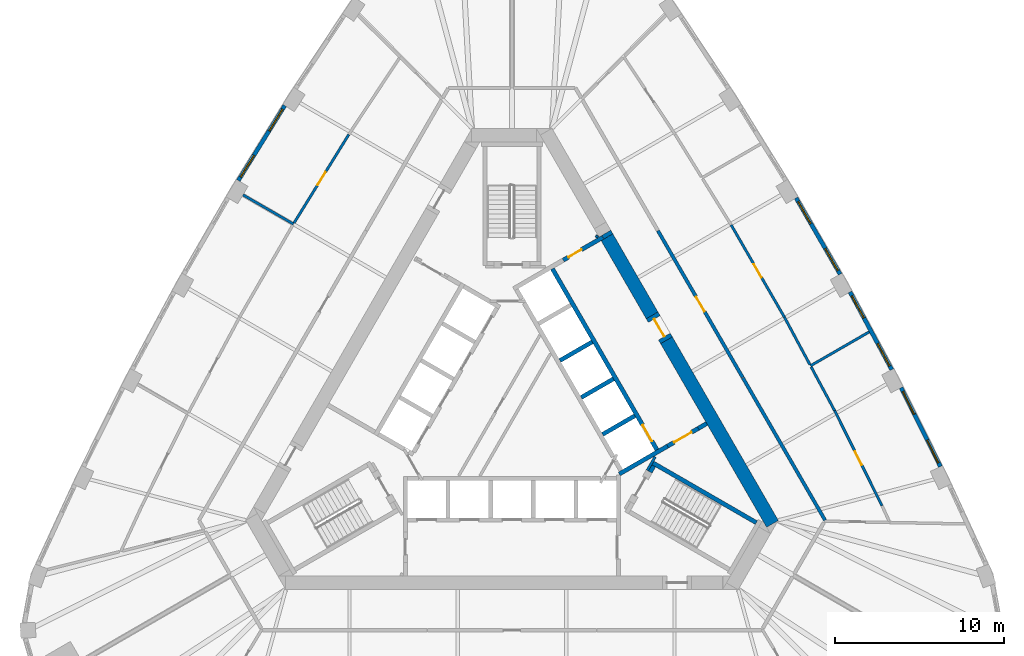
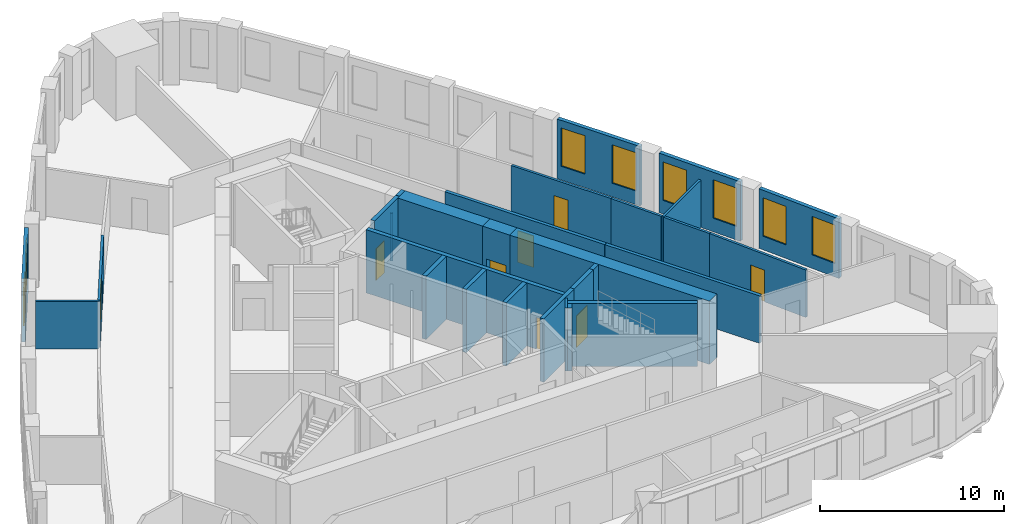
# One storey, part 7 of 10: 29 walls, 8 doors, 8 windows, 16 openings.
"""IFC4 building model written with IfcOpenShell, lengths in metres."""

from ifc_helpers import new_model, si_unit, direction, frame, frame_2d, origin, place, context, subcontext, project, spatial, polyline, rectangle, outline, extrude, material, layer, layer_set, type_object, element, fill, save


model = new_model("IFC4")

# Units and contexts
model_context = context("Model", 3, precision=1e-05, world=origin(), true_north=direction((0.0, 1.0)))
body_context = subcontext(model_context, "Body", "Model", "MODEL_VIEW")
ifc_project = project(units=[si_unit("LENGTHUNIT", "METRE"), si_unit("AREAUNIT", "SQUARE_METRE"), si_unit("VOLUMEUNIT", "CUBIC_METRE"), si_unit("PLANEANGLEUNIT", "RADIAN"), si_unit("MASSUNIT", "GRAM", prefix="KILO")], contexts=[model_context])

# Site, building, storey
site_placement = place(None, origin())
site = spatial("IfcSite", under=ifc_project, at=site_placement, CompositionType="ELEMENT")
building_placement = place(site_placement, origin())
building = spatial("IfcBuilding", under=site, at=building_placement, Name="Mestral Congress Tower", CompositionType="ELEMENT")
storey_placement = place(building_placement, frame((0.0, 0.0, 141.60009765625)))
storey = spatial("IfcBuildingStorey", under=building, at=storey_placement, Name="L33", CompositionType="ELEMENT", Elevation=141.60009765625)

# Walls
ifc_material_1 = material(Name="Fire-rated board partition")
ifc_layer_1 = layer(ifc_material_1, 0.14990234375)
ifc_layer_set_1 = layer_set([ifc_layer_1], Name="Fire-rated board partition")
wall_type_1 = type_object("IfcWallType", Name="Core partition 150", PredefinedType="PARTITIONING", material=ifc_layer_set_1)
wall_1_placement = place(storey_placement, frame((4.97998046875, 10.35791015625, 0.0), z_axis=(0.0, 0.0, 1.0), x_axis=(0.500640202437, 0.86565546709, 0.0)))
element("IfcWall", 1, at=wall_1_placement, inside=storey, type_object=wall_type_1, Name="L33 core wall", PredefinedType="PARTITIONING", context=body_context, shape_type="SweptSolid", body=[
    extrude(rectangle(XDim=0.145751953125, YDim=0.14990234375, at=frame_2d((0.07275390625, 0.0))), origin(), (0.0, 0.0, 1.0), 3.14990234375),
])
ifc_material_2 = material(Name="Concrete C60/75", Category="concrete")
ifc_layer_2 = layer(ifc_material_2, 0.800048828125)
ifc_layer_set_2 = layer_set([ifc_layer_2], Name="Concrete C60/75")
wall_type_2 = type_object("IfcWallType", Name="Core wall RC 800", PredefinedType="SOLIDWALL", material=ifc_layer_set_2)
wall_2_placement = place(storey_placement, frame((9.128662109375, 4.288818359375, 0.0), z_axis=(0.0, 0.0, 1.0), x_axis=(0.499995742806, -0.866027861663, 0.0)))
element("IfcWall", 2, at=wall_2_placement, inside=storey, type_object=wall_type_2, Name="L33 core wall", PredefinedType="SOLIDWALL", context=body_context, shape_type="SweptSolid", body=[
    extrude(rectangle(XDim=12.52734375, YDim=0.800048828125, at=frame_2d((6.263671875, 0.0))), origin(), (0.0, 0.0, 1.0), 4.199951171875),
])
wall_3_placement = place(storey_placement, frame((5.614501953125, 10.37548828125, 0.0), z_axis=(0.0, 0.0, 1.0), x_axis=(0.500002746266, -0.866023818221, 0.0)))
element("IfcWall", 3, at=wall_3_placement, inside=storey, type_object=wall_type_2, Name="L33 core wall", PredefinedType="SOLIDWALL", context=body_context, shape_type="SweptSolid", body=[
    extrude(rectangle(XDim=5.328125, YDim=0.800048828125, at=frame_2d((2.6640625, 0.0))), origin(), (0.0, 0.0, 1.0), 4.199951171875),
])
wall_4_placement = place(storey_placement, origin())
element("IfcWall", 4, at=wall_4_placement, inside=storey, type_object=wall_type_2, Name="L33 core wall", PredefinedType="SOLIDWALL", context=body_context, shape_type="SweptSolid", body=[
    extrude(outline(polyline([(5.431640625, 10.272216796875), (5.3076171875, 10.48681640625), (5.8359375, 10.7919921875), (5.9599609375, 10.5771484375), (5.431640625, 10.272216796875)])), origin(), (0.0, 0.0, 1.0), 4.199951171875),
])

# Wall, opening, door
wall_5_placement = place(storey_placement, frame((8.278564453125, 5.760986328125, 0.0), z_axis=(0.0, 0.0, 1.0), x_axis=(0.500062241894, -0.865989465428, 0.0)))
wall_5 = element("IfcWall", 5, at=wall_5_placement, inside=storey, type_object=wall_type_2, Name="L33 door wall", PredefinedType="SOLIDWALL", context=body_context, shape_type="SweptSolid", body=[
    extrude(rectangle(XDim=1.699951171875, YDim=0.800048828125, at=frame_2d((0.85009765625, 0.0))), origin(), (0.0, 0.0, 1.0), 4.199951171875),
])
opening_1_placement = place(wall_5_placement, frame((0.25, 0.0, 0.0)))
opening_1 = element("IfcOpeningElement", 6, at=opening_1_placement, cuts=wall_5, Name="Opening XDL", PredefinedType="OPENING", context=body_context, shape_type="SweptSolid", body=[
    extrude(rectangle(XDim=1.199951171875, YDim=2.10009765625, at=frame_2d((0.60009765625, 1.050048828125))), frame((0.0, 0.409912109375, 0.0), z_axis=(0.0, -1.0, 0.0), x_axis=(1.0, 0.0, 0.0)), (0.0, 0.0, 1.0), 0.820068359375),
])
ifc_material_3 = material(Name="Fire-rated steel door set", Category="steel")
door_type_1 = type_object("IfcDoorType", Name="Core door XD 1200x2100", OperationType="SINGLE_SWING_LEFT", PredefinedType="DOOR", material=ifc_material_3)
door_1_placement = place(opening_1_placement, origin())
door_1 = element("IfcDoor", 7, at=door_1_placement, inside=storey, type_object=door_type_1, Name="Door XDL", OperationType="SINGLE_SWING_LEFT", OverallHeight=2.10009765625, OverallWidth=1.199951171875, PredefinedType="DOOR", context=body_context, shape_type="SweptSolid", body=[
    extrude(rectangle(XDim=1.199951171875, YDim=2.10009765625, at=frame_2d((0.60009765625, 1.050048828125))), frame((0.0, 0.02490234375, 0.0), z_axis=(0.0, -1.0, 0.0), x_axis=(1.0, 0.0, 0.0)), (0.0, 0.0, 1.0), 0.050048828125),
])
fill(opening_1, door_1)

# Wall, openings, windows
ifc_material_4 = material(Name="Precast concrete C40/50 with limestone facing", Category="masonry")
ifc_layer_3 = layer(ifc_material_4, 0.239990234375)
ifc_layer_set_3 = layer_set([ifc_layer_3], Name="Precast concrete C40/50 with limestone facing")
wall_type_3 = type_object("IfcWallType", Name="Facade stone wall 240", PredefinedType="SOLIDWALL", material=ifc_layer_set_3)
wall_6_placement = place(storey_placement, frame((25.31591796875, -3.17138671875, 0.0), z_axis=(0.0, 0.0, 1.0), x_axis=(-0.446256171312, 0.8949052629, 0.0)))
wall_6 = element("IfcWall", 8, at=wall_6_placement, inside=storey, type_object=wall_type_3, Name="Facade wall F1-01", PredefinedType="SOLIDWALL", context=body_context, shape_type="SweptSolid", body=[
    extrude(rectangle(XDim=5.203369140625, YDim=0.239990234375, at=frame_2d((2.6015625, 0.0))), origin(), (0.0, 0.0, 1.0), 3.949951171875),
])
opening_2_placement = place(wall_6_placement, frame((0.248291015625, 0.0, 0.89990234375)))
opening_2 = element("IfcOpeningElement", 9, at=opening_2_placement, cuts=wall_6, Name="Opening W4", PredefinedType="OPENING", context=body_context, shape_type="SweptSolid", body=[
    extrude(rectangle(XDim=1.5, YDim=2.550048828125, at=frame_2d((0.75, 1.27490234375))), frame((0.0, 0.1298828125, 0.0), z_axis=(0.0, -1.0, 0.0), x_axis=(1.0, 0.0, 0.0)), (0.0, 0.0, 1.0), 0.260009765625),
])
opening_3_placement = place(wall_6_placement, frame((3.455078125, 0.0, 0.89990234375)))
opening_3 = element("IfcOpeningElement", 10, at=opening_3_placement, cuts=wall_6, Name="Opening W4", PredefinedType="OPENING", context=body_context, shape_type="SweptSolid", body=[
    extrude(rectangle(XDim=1.5, YDim=2.550048828125, at=frame_2d((0.75, 1.27490234375))), frame((0.0, 0.1298828125, 0.0), z_axis=(0.0, -1.0, 0.0), x_axis=(1.0, 0.0, 0.0)), (0.0, 0.0, 1.0), 0.260009765625),
])
ifc_material_5 = material(Name="Clear low-emissivity double glazing", Category="glass")
window_type = type_object("IfcWindowType", Name="Facade punched window 1500 x 2550 sill 900", PartitioningType="SINGLE_PANEL", PredefinedType="WINDOW", material=ifc_material_5)
window_1_placement = place(opening_2_placement, origin())
window_1 = element("IfcWindow", 11, at=window_1_placement, inside=storey, type_object=window_type, Name="Window F1-01a", OverallHeight=2.550048828125, OverallWidth=1.5, PartitioningType="SINGLE_PANEL", PredefinedType="WINDOW", context=body_context, shape_type="SweptSolid", body=[
    extrude(rectangle(XDim=1.5, YDim=2.550048828125, at=frame_2d((0.75, 1.27490234375))), frame((0.0, 0.0400390625, 0.0), z_axis=(0.0, -1.0, 0.0), x_axis=(1.0, 0.0, 0.0)), (0.0, 0.0, 1.0), 0.06005859375),
])
fill(opening_2, window_1)
window_2_placement = place(opening_3_placement, origin())
window_2 = element("IfcWindow", 12, at=window_2_placement, inside=storey, type_object=window_type, Name="Window F1-01b", OverallHeight=2.550048828125, OverallWidth=1.5, PartitioningType="SINGLE_PANEL", PredefinedType="WINDOW", context=body_context, shape_type="SweptSolid", body=[
    extrude(rectangle(XDim=1.5, YDim=2.550048828125, at=frame_2d((0.75, 1.27490234375))), frame((0.0, 0.0400390625, 0.0), z_axis=(0.0, -1.0, 0.0), x_axis=(1.0, 0.0, 0.0)), (0.0, 0.0, 1.0), 0.06005859375),
])
fill(opening_3, window_2)

wall_7_placement = place(storey_placement, frame((22.43994140625, 2.554931640625, 0.0), z_axis=(0.0, 0.0, 1.0), x_axis=(-0.473349833294, 0.880874528704, 0.0)))
wall_7 = element("IfcWall", 13, at=wall_7_placement, inside=storey, type_object=wall_type_3, Name="Facade wall F1-02", PredefinedType="SOLIDWALL", context=body_context, shape_type="SweptSolid", body=[
    extrude(rectangle(XDim=5.20361328125, YDim=0.239990234375, at=frame_2d((2.601806640625, 0.0))), origin(), (0.0, 0.0, 1.0), 3.949951171875),
])
opening_4_placement = place(wall_7_placement, frame((0.248291015625, 0.0, 0.89990234375)))
opening_4 = element("IfcOpeningElement", 14, at=opening_4_placement, cuts=wall_7, Name="Opening W4", PredefinedType="OPENING", context=body_context, shape_type="SweptSolid", body=[
    extrude(rectangle(XDim=1.5, YDim=2.550048828125, at=frame_2d((0.75, 1.27490234375))), frame((0.0, 0.1298828125, 0.0), z_axis=(0.0, -1.0, 0.0), x_axis=(1.0, 0.0, 0.0)), (0.0, 0.0, 1.0), 0.260009765625),
])
opening_5_placement = place(wall_7_placement, frame((3.455078125, 0.0, 0.89990234375)))
opening_5 = element("IfcOpeningElement", 15, at=opening_5_placement, cuts=wall_7, Name="Opening W4", PredefinedType="OPENING", context=body_context, shape_type="SweptSolid", body=[
    extrude(rectangle(XDim=1.5, YDim=2.550048828125, at=frame_2d((0.75, 1.27490234375))), frame((0.0, 0.1298828125, 0.0), z_axis=(0.0, -1.0, 0.0), x_axis=(1.0, 0.0, 0.0)), (0.0, 0.0, 1.0), 0.260009765625),
])
window_3_placement = place(opening_4_placement, origin())
window_3 = element("IfcWindow", 16, at=window_3_placement, inside=storey, type_object=window_type, Name="Window F1-02a", OverallHeight=2.550048828125, OverallWidth=1.5, PartitioningType="SINGLE_PANEL", PredefinedType="WINDOW", context=body_context, shape_type="SweptSolid", body=[
    extrude(rectangle(XDim=1.5, YDim=2.550048828125, at=frame_2d((0.75, 1.27490234375))), frame((0.0, 0.0400390625, 0.0), z_axis=(0.0, -1.0, 0.0), x_axis=(1.0, 0.0, 0.0)), (0.0, 0.0, 1.0), 0.06005859375),
])
fill(opening_4, window_3)
window_4_placement = place(opening_5_placement, origin())
window_4 = element("IfcWindow", 17, at=window_4_placement, inside=storey, type_object=window_type, Name="Window F1-02b", OverallHeight=2.550048828125, OverallWidth=1.5, PartitioningType="SINGLE_PANEL", PredefinedType="WINDOW", context=body_context, shape_type="SweptSolid", body=[
    extrude(rectangle(XDim=1.5, YDim=2.550048828125, at=frame_2d((0.75, 1.27490234375))), frame((0.0, 0.0400390625, 0.0), z_axis=(0.0, -1.0, 0.0), x_axis=(1.0, 0.0, 0.0)), (0.0, 0.0, 1.0), 0.06005859375),
])
fill(opening_5, window_4)

wall_8_placement = place(storey_placement, frame((19.390625, 8.19091796875, 0.0), z_axis=(0.0, 0.0, 1.0), x_axis=(-0.500009456303, 0.866019944116, 0.0)))
wall_8 = element("IfcWall", 18, at=wall_8_placement, inside=storey, type_object=wall_type_3, Name="Facade wall F1-03", PredefinedType="SOLIDWALL", context=body_context, shape_type="SweptSolid", body=[
    extrude(rectangle(XDim=5.20361328125, YDim=0.239990234375, at=frame_2d((2.601806640625, 0.0))), origin(), (0.0, 0.0, 1.0), 3.949951171875),
])
opening_6_placement = place(wall_8_placement, frame((0.248291015625, 0.0, 0.89990234375)))
opening_6 = element("IfcOpeningElement", 19, at=opening_6_placement, cuts=wall_8, Name="Opening W4", PredefinedType="OPENING", context=body_context, shape_type="SweptSolid", body=[
    extrude(rectangle(XDim=1.5, YDim=2.550048828125, at=frame_2d((0.75, 1.27490234375))), frame((0.0, 0.1298828125, 0.0), z_axis=(0.0, -1.0, 0.0), x_axis=(1.0, 0.0, 0.0)), (0.0, 0.0, 1.0), 0.260009765625),
])
opening_7_placement = place(wall_8_placement, frame((3.455078125, 0.0, 0.89990234375)))
opening_7 = element("IfcOpeningElement", 20, at=opening_7_placement, cuts=wall_8, Name="Opening W4", PredefinedType="OPENING", context=body_context, shape_type="SweptSolid", body=[
    extrude(rectangle(XDim=1.5, YDim=2.550048828125, at=frame_2d((0.75, 1.27490234375))), frame((0.0, 0.1298828125, 0.0), z_axis=(0.0, -1.0, 0.0), x_axis=(1.0, 0.0, 0.0)), (0.0, 0.0, 1.0), 0.260009765625),
])
window_5_placement = place(opening_6_placement, origin())
window_5 = element("IfcWindow", 21, at=window_5_placement, inside=storey, type_object=window_type, Name="Window F1-03a", OverallHeight=2.550048828125, OverallWidth=1.5, PartitioningType="SINGLE_PANEL", PredefinedType="WINDOW", context=body_context, shape_type="SweptSolid", body=[
    extrude(rectangle(XDim=1.5, YDim=2.550048828125, at=frame_2d((0.75, 1.27490234375))), frame((0.0, 0.0400390625, 0.0), z_axis=(0.0, -1.0, 0.0), x_axis=(1.0, 0.0, 0.0)), (0.0, 0.0, 1.0), 0.06005859375),
])
fill(opening_6, window_5)
window_6_placement = place(opening_7_placement, origin())
window_6 = element("IfcWindow", 22, at=window_6_placement, inside=storey, type_object=window_type, Name="Window F1-03b", OverallHeight=2.550048828125, OverallWidth=1.5, PartitioningType="SINGLE_PANEL", PredefinedType="WINDOW", context=body_context, shape_type="SweptSolid", body=[
    extrude(rectangle(XDim=1.5, YDim=2.550048828125, at=frame_2d((0.75, 1.27490234375))), frame((0.0, 0.0400390625, 0.0), z_axis=(0.0, -1.0, 0.0), x_axis=(1.0, 0.0, 0.0)), (0.0, 0.0, 1.0), 0.06005859375),
])
fill(opening_7, window_6)

wall_9_placement = place(storey_placement, frame((-13.4326171875, 18.156005859375, 0.0), z_axis=(0.0, 0.0, 1.0), x_axis=(-0.526197926587, -0.850362124072, 0.0)))
wall_9 = element("IfcWall", 23, at=wall_9_placement, inside=storey, type_object=wall_type_3, Name="Facade wall F2-02", PredefinedType="SOLIDWALL", context=body_context, shape_type="SweptSolid", body=[
    extrude(rectangle(XDim=5.203369140625, YDim=0.239990234375, at=frame_2d((2.6015625, 0.0))), origin(), (0.0, 0.0, 1.0), 3.949951171875),
])
opening_8_placement = place(wall_9_placement, frame((0.248291015625, 0.0, 0.89990234375)))
opening_8 = element("IfcOpeningElement", 24, at=opening_8_placement, cuts=wall_9, Name="Opening W4", PredefinedType="OPENING", context=body_context, shape_type="SweptSolid", body=[
    extrude(rectangle(XDim=1.5, YDim=2.550048828125, at=frame_2d((0.75, 1.27490234375))), frame((0.0, 0.1298828125, 0.0), z_axis=(0.0, -1.0, 0.0), x_axis=(1.0, 0.0, 0.0)), (0.0, 0.0, 1.0), 0.260009765625),
])
opening_9_placement = place(wall_9_placement, frame((3.455078125, 0.0, 0.89990234375)))
opening_9 = element("IfcOpeningElement", 25, at=opening_9_placement, cuts=wall_9, Name="Opening W4", PredefinedType="OPENING", context=body_context, shape_type="SweptSolid", body=[
    extrude(rectangle(XDim=1.5, YDim=2.550048828125, at=frame_2d((0.75, 1.27490234375))), frame((0.0, 0.1298828125, 0.0), z_axis=(0.0, -1.0, 0.0), x_axis=(1.0, 0.0, 0.0)), (0.0, 0.0, 1.0), 0.260009765625),
])
window_7_placement = place(opening_8_placement, origin())
window_7 = element("IfcWindow", 26, at=window_7_placement, inside=storey, type_object=window_type, Name="Window F2-02a", OverallHeight=2.550048828125, OverallWidth=1.5, PartitioningType="SINGLE_PANEL", PredefinedType="WINDOW", context=body_context, shape_type="SweptSolid", body=[
    extrude(rectangle(XDim=1.5, YDim=2.550048828125, at=frame_2d((0.75, 1.27490234375))), frame((0.0, 0.0400390625, 0.0), z_axis=(0.0, -1.0, 0.0), x_axis=(1.0, 0.0, 0.0)), (0.0, 0.0, 1.0), 0.06005859375),
])
fill(opening_8, window_7)
window_8_placement = place(opening_9_placement, origin())
window_8 = element("IfcWindow", 27, at=window_8_placement, inside=storey, type_object=window_type, Name="Window F2-02b", OverallHeight=2.550048828125, OverallWidth=1.5, PartitioningType="SINGLE_PANEL", PredefinedType="WINDOW", context=body_context, shape_type="SweptSolid", body=[
    extrude(rectangle(XDim=1.5, YDim=2.550048828125, at=frame_2d((0.75, 1.27490234375))), frame((0.0, 0.0400390625, 0.0), z_axis=(0.0, -1.0, 0.0), x_axis=(1.0, 0.0, 0.0)), (0.0, 0.0, 1.0), 0.06005859375),
])
fill(opening_9, window_8)

# Wall
ifc_material_6 = material(Name="Plasterboard partition on steel studs", Category="steel")
ifc_layer_4 = layer(ifc_material_6, 0.14990234375)
ifc_layer_set_4 = layer_set([ifc_layer_4], Name="Plasterboard partition on steel studs")
wall_type_4 = type_object("IfcWallType", Name="Office partition 150", PredefinedType="PARTITIONING", material=ifc_layer_set_4)
wall_10_placement = place(storey_placement, frame((17.64111328125, 2.78125, 0.0), z_axis=(0.0, 0.0, 1.0), x_axis=(0.866053520969, 0.499951296445, 0.0)))
element("IfcWall", 28, at=wall_10_placement, inside=storey, type_object=wall_type_4, Name="Partition", PredefinedType="PARTITIONING", context=body_context, shape_type="SweptSolid", body=[
    extrude(rectangle(XDim=4.001953125, YDim=0.14990234375, at=frame_2d((2.0009765625, 0.0))), origin(), (0.0, 0.0, 1.0), 3.14990234375),
])

# Wall, opening, door
wall_11_placement = place(storey_placement, frame((19.066162109375, 0.12939453125, 0.0), z_axis=(0.0, 0.0, 1.0), x_axis=(0.446202922071, -0.89493181435, 0.0)))
wall_11 = element("IfcWall", 29, at=wall_11_placement, inside=storey, type_object=wall_type_4, Name="Partition", PredefinedType="PARTITIONING", context=body_context, shape_type="SweptSolid", body=[
    extrude(rectangle(XDim=6.282470703125, YDim=0.14990234375, at=frame_2d((3.14111328125, 0.0))), origin(), (0.0, 0.0, 1.0), 3.14990234375),
])
opening_10_placement = place(wall_11_placement, frame((2.6826171875, 0.0, 0.0)))
opening_10 = element("IfcOpeningElement", 30, at=opening_10_placement, cuts=wall_11, Name="Opening O01-008", PredefinedType="OPENING", context=body_context, shape_type="SweptSolid", body=[
    extrude(rectangle(XDim=0.89990234375, YDim=2.10009765625, at=frame_2d((0.449951171875, 1.050048828125))), frame((0.0, 0.0849609375, 0.0), z_axis=(0.0, -1.0, 0.0), x_axis=(1.0, 0.0, 0.0)), (0.0, 0.0, 1.0), 0.169921875),
])
ifc_material_7 = material(Name="Timber door set", Category="wood")
door_type_2 = type_object("IfcDoorType", Name="Office door 900x2100", OperationType="SINGLE_SWING_LEFT", PredefinedType="DOOR", material=ifc_material_7)
door_2_placement = place(opening_10_placement, origin())
door_2 = element("IfcDoor", 31, at=door_2_placement, inside=storey, type_object=door_type_2, Name="Door O01-008", OperationType="SINGLE_SWING_LEFT", OverallHeight=2.10009765625, OverallWidth=0.89990234375, PredefinedType="DOOR", context=body_context, shape_type="SweptSolid", body=[
    extrude(rectangle(XDim=0.89990234375, YDim=2.10009765625, at=frame_2d((0.449951171875, 1.050048828125))), frame((0.0, 0.02490234375, 0.0), z_axis=(0.0, -1.0, 0.0), x_axis=(1.0, 0.0, 0.0)), (0.0, 0.0, 1.0), 0.050048828125),
])
fill(opening_10, door_2)

# Walls
wall_12_placement = place(storey_placement, frame((19.066162109375, 0.12939453125, 0.0), z_axis=(0.0, 0.0, 1.0), x_axis=(-0.473335829303, 0.880882053795, 0.0)))
element("IfcWall", 32, at=wall_12_placement, inside=storey, type_object=wall_type_4, Name="Partition", PredefinedType="PARTITIONING", context=body_context, shape_type="SweptSolid", body=[
    extrude(rectangle(XDim=2.935302734375, YDim=0.14990234375, at=frame_2d((1.4677734375, 0.0))), origin(), (0.0, 0.0, 1.0), 3.14990234375),
])
wall_13_placement = place(storey_placement, frame((17.605712890625, 2.847412109375, 0.0), z_axis=(0.0, 0.0, 1.0), x_axis=(-0.473348321673, 0.880875340993, 0.0)))
element("IfcWall", 33, at=wall_13_placement, inside=storey, type_object=wall_type_4, Name="Partition", PredefinedType="PARTITIONING", context=body_context, shape_type="SweptSolid", body=[
    extrude(rectangle(XDim=3.197265625, YDim=0.14990234375, at=frame_2d((1.5986328125, 0.0))), origin(), (0.0, 0.0, 1.0), 3.14990234375),
])

# Wall, opening, door
wall_14_placement = place(storey_placement, frame((12.951171875, 11.1044921875, 0.0), z_axis=(0.0, 0.0, 1.0), x_axis=(0.499992691614, -0.866029623242, 0.0)))
wall_14 = element("IfcWall", 34, at=wall_14_placement, inside=storey, type_object=wall_type_4, Name="Partition", PredefinedType="PARTITIONING", context=body_context, shape_type="SweptSolid", body=[
    extrude(rectangle(XDim=6.2822265625, YDim=0.14990234375, at=frame_2d((3.14111328125, 0.0))), origin(), (0.0, 0.0, 1.0), 3.14990234375),
])
opening_11_placement = place(wall_14_placement, frame((2.6826171875, 0.0, 0.0)))
opening_11 = element("IfcOpeningElement", 35, at=opening_11_placement, cuts=wall_14, Name="Opening O01-009", PredefinedType="OPENING", context=body_context, shape_type="SweptSolid", body=[
    extrude(rectangle(XDim=0.89990234375, YDim=2.10009765625, at=frame_2d((0.449951171875, 1.050048828125))), frame((0.0, 0.0849609375, 0.0), z_axis=(0.0, -1.0, 0.0), x_axis=(1.0, 0.0, 0.0)), (0.0, 0.0, 1.0), 0.169921875),
])
door_3_placement = place(opening_11_placement, origin())
door_3 = element("IfcDoor", 36, at=door_3_placement, inside=storey, type_object=door_type_2, Name="Door O01-009", OperationType="SINGLE_SWING_LEFT", OverallHeight=2.10009765625, OverallWidth=0.89990234375, PredefinedType="DOOR", context=body_context, shape_type="SweptSolid", body=[
    extrude(rectangle(XDim=0.89990234375, YDim=2.10009765625, at=frame_2d((0.449951171875, 1.050048828125))), frame((0.0, 0.02490234375, 0.0), z_axis=(0.0, -1.0, 0.0), x_axis=(1.0, 0.0, 0.0)), (0.0, 0.0, 1.0), 0.050048828125),
])
fill(opening_11, door_3)

# Wall
wall_15_placement = place(storey_placement, frame((-12.91650390625, 11.16015625, 0.0), z_axis=(0.0, 0.0, 1.0), x_axis=(-0.866039125629, 0.499976232315, 0.0)))
element("IfcWall", 37, at=wall_15_placement, inside=storey, type_object=wall_type_4, Name="Partition", PredefinedType="PARTITIONING", context=body_context, shape_type="SweptSolid", body=[
    extrude(rectangle(XDim=3.442138671875, YDim=0.14990234375, at=frame_2d((1.72119140625, 0.0))), origin(), (0.0, 0.0, 1.0), 3.14990234375),
])

# Wall, opening, door
wall_16_placement = place(storey_placement, frame((-12.877197265625, 11.22412109375, 0.0), z_axis=(0.0, 0.0, 1.0), x_axis=(0.526202711334, 0.850359163286, 0.0)))
wall_16 = element("IfcWall", 38, at=wall_16_placement, inside=storey, type_object=wall_type_4, Name="Partition", PredefinedType="PARTITIONING", context=body_context, shape_type="SweptSolid", body=[
    extrude(rectangle(XDim=6.14208984375, YDim=0.14990234375, at=frame_2d((3.071044921875, 0.0))), origin(), (0.0, 0.0, 1.0), 3.14990234375),
])
opening_12_placement = place(wall_16_placement, frame((2.64208984375, 0.0, 0.0)))
opening_12 = element("IfcOpeningElement", 39, at=opening_12_placement, cuts=wall_16, Name="Opening O01-014", PredefinedType="OPENING", context=body_context, shape_type="SweptSolid", body=[
    extrude(rectangle(XDim=0.89990234375, YDim=2.10009765625, at=frame_2d((0.449951171875, 1.050048828125))), frame((0.0, 0.0849609375, 0.0), z_axis=(0.0, -1.0, 0.0), x_axis=(1.0, 0.0, 0.0)), (0.0, 0.0, 1.0), 0.169921875),
])
door_4_placement = place(opening_12_placement, origin())
door_4 = element("IfcDoor", 40, at=door_4_placement, inside=storey, type_object=door_type_2, Name="Door O01-014", OperationType="SINGLE_SWING_RIGHT", OverallHeight=2.10009765625, OverallWidth=0.89990234375, PredefinedType="DOOR", context=body_context, shape_type="SweptSolid", body=[
    extrude(rectangle(XDim=0.89990234375, YDim=2.10009765625, at=frame_2d((0.449951171875, 1.050048828125))), frame((0.0, 0.02490234375, 0.0), z_axis=(0.0, -1.0, 0.0), x_axis=(1.0, 0.0, 0.0)), (0.0, 0.0, 1.0), 0.050048828125),
])
fill(opening_12, door_4)

ifc_material_8 = material(Name="Dense masonry wall, plastered", Category="masonry")
ifc_layer_5 = layer(ifc_material_8, 0.199951171875)
ifc_layer_set_5 = layer_set([ifc_layer_5], Name="Dense masonry wall, plastered")
wall_type_5 = type_object("IfcWallType", Name="Office tenancy wall 200", PredefinedType="PARTITIONING", material=ifc_layer_set_5)
wall_17_placement = place(storey_placement, frame((13.63037109375, 2.09130859375, 0.0), z_axis=(0.0, 0.0, 1.0), x_axis=(-0.499990634175, 0.866030811078, 0.0)))
wall_17 = element("IfcWall", 41, at=wall_17_placement, inside=storey, type_object=wall_type_5, Name="Tenancy wall", PredefinedType="PARTITIONING", context=body_context, shape_type="SweptSolid", body=[
    extrude(rectangle(XDim=10.008056640625, YDim=0.199951171875, at=frame_2d((5.00390625, 0.0))), origin(), (0.0, 0.0, 1.0), 3.14990234375),
])
opening_13_placement = place(wall_17_placement, frame((4.5, 0.0, 0.0)))
opening_13 = element("IfcOpeningElement", 42, at=opening_13_placement, cuts=wall_17, Name="Opening O01-011", PredefinedType="OPENING", context=body_context, shape_type="SweptSolid", body=[
    extrude(rectangle(XDim=1.0, YDim=2.10009765625, at=frame_2d((0.5, 1.050048828125))), frame((0.0, 0.10986328125, 0.0), z_axis=(0.0, -1.0, 0.0), x_axis=(1.0, 0.0, 0.0)), (0.0, 0.0, 1.0), 0.219970703125),
])
ifc_material_9 = material(Name="Fire-rated timber door set", Category="wood")
door_type_3 = type_object("IfcDoorType", Name="Office tenancy entrance door 1000x2100", OperationType="SINGLE_SWING_LEFT", PredefinedType="DOOR", material=ifc_material_9)
door_5_placement = place(opening_13_placement, origin())
door_5 = element("IfcDoor", 43, at=door_5_placement, inside=storey, type_object=door_type_3, Name="Door O01-011", OperationType="SINGLE_SWING_LEFT", OverallHeight=2.10009765625, OverallWidth=1.0, PredefinedType="DOOR", context=body_context, shape_type="SweptSolid", body=[
    extrude(rectangle(XDim=1.0, YDim=2.10009765625, at=frame_2d((0.5, 1.050048828125))), frame((0.0, 0.02490234375, 0.0), z_axis=(0.0, -1.0, 0.0), x_axis=(1.0, 0.0, 0.0)), (0.0, 0.0, 1.0), 0.050048828125),
])
fill(opening_13, door_5)

# Walls
wall_18_placement = place(storey_placement, frame((18.504150390625, -6.35009765625, 0.0), z_axis=(0.0, 0.0, 1.0), x_axis=(-0.499995029582, 0.866028273438, 0.0)))
element("IfcWall", 44, at=wall_18_placement, inside=storey, type_object=wall_type_5, Name="Tenancy wall", PredefinedType="PARTITIONING", context=body_context, shape_type="SweptSolid", body=[
    extrude(rectangle(XDim=9.71728515625, YDim=0.199951171875, at=frame_2d((4.858642578125, 0.0))), origin(), (0.0, 0.0, 1.0), 3.14990234375),
])
ifc_layer_6 = layer(ifc_material_2, 0.25)
ifc_layer_set_6 = layer_set([ifc_layer_6], Name="Concrete C60/75")
wall_type_6 = type_object("IfcWallType", Name="Shaft wall RC 250", PredefinedType="SOLIDWALL", material=ifc_layer_set_6)
wall_19_placement = place(storey_placement, frame((9.190185546875, -1.96875, 0.0), z_axis=(0.0, 0.0, 1.0), x_axis=(-0.866057109641, -0.499945079824, 0.0)))
element("IfcWall", 45, at=wall_19_placement, inside=storey, type_object=wall_type_6, Name="L33 core wall", PredefinedType="SOLIDWALL", context=body_context, shape_type="SweptSolid", body=[
    extrude(rectangle(XDim=3.290771484375, YDim=0.25, at=frame_2d((1.6455078125, 0.0))), origin(), (0.0, 0.0, 1.0), 4.199951171875),
])
wall_20_placement = place(storey_placement, frame((11.507080078125, -0.631103515625, 0.0), z_axis=(0.0, 0.0, 1.0), x_axis=(-0.866093731455, -0.499881634324, 0.0)))
element("IfcWall", 46, at=wall_20_placement, inside=storey, type_object=wall_type_6, Name="L33 core wall", PredefinedType="SOLIDWALL", context=body_context, shape_type="SweptSolid", body=[
    extrude(rectangle(XDim=0.575439453125, YDim=0.25, at=frame_2d((0.28759765625, 0.0))), origin(), (0.0, 0.0, 1.0), 4.199951171875),
])
for number, where, z_axis, x_axis, name in (
    (47, (2.833984375, 3.091064453125, 0.0), (0.0, 0.0, 1.0), (0.866008176907, 0.50002983664, 0.0), "L33 core wall"),
    (48, (4.093994140625, 0.90869140625, 0.0), (0.0, 0.0, 1.0), (0.866008176907, 0.50002983664, 0.0), "L33 core wall"),
    (49, (5.35400390625, -1.273681640625, 0.0), (0.0, 0.0, 1.0), (0.866008176907, 0.50002983664, 0.0), "L33 core wall"),
):
    element("IfcWall", number, at=place(storey_placement, frame(where, z_axis=z_axis, x_axis=x_axis)), inside=storey, type_object=wall_type_6, Name=name, PredefinedType="SOLIDWALL", context=body_context, shape_type="SweptSolid", body=[
        extrude(rectangle(XDim=2.199951171875, YDim=0.25, at=frame_2d((1.10009765625, 0.0))), origin(), (0.0, 0.0, 1.0), 4.199951171875),
    ])

# Wall, opening, door
wall_21_placement = place(storey_placement, frame((8.565185546875, -2.185302734375, 0.0), z_axis=(0.0, 0.0, 1.0), x_axis=(-0.499997954832, 0.866026584559, 0.0)))
wall_21 = element("IfcWall", 50, at=wall_21_placement, inside=storey, type_object=wall_type_6, Name="L33 door wall", PredefinedType="SOLIDWALL", context=body_context, shape_type="SweptSolid", body=[
    extrude(rectangle(XDim=12.35009765625, YDim=0.25, at=frame_2d((6.175048828125, 0.0))), origin(), (0.0, 0.0, 1.0), 4.199951171875),
])
opening_14_placement = place(wall_21_placement, frame((0.5849609375, 0.0, 0.0)))
opening_14 = element("IfcOpeningElement", 51, at=opening_14_placement, cuts=wall_21, Name="Opening LD-NEB1", PredefinedType="OPENING", context=body_context, shape_type="SweptSolid", body=[
    extrude(rectangle(XDim=1.10009765625, YDim=2.10009765625, at=frame_2d((0.550048828125, 1.050048828125))), frame((0.0, 0.135009765625, 0.0), z_axis=(0.0, -1.0, 0.0), x_axis=(1.0, 0.0, 0.0)), (0.0, 0.0, 1.0), 0.27001953125),
])
door_type_4 = type_object("IfcDoorType", Name="Core door LD 1100x2100", OperationType="DOUBLE_DOOR_SLIDING", PredefinedType="DOOR", material=ifc_material_3)
door_6_placement = place(opening_14_placement, origin())
door_6 = element("IfcDoor", 52, at=door_6_placement, inside=storey, type_object=door_type_4, Name="Door LD-NEB1", OperationType="DOUBLE_DOOR_SLIDING", OverallHeight=2.10009765625, OverallWidth=1.10009765625, PredefinedType="DOOR", context=body_context, shape_type="SweptSolid", body=[
    extrude(rectangle(XDim=1.10009765625, YDim=2.10009765625, at=frame_2d((0.550048828125, 1.050048828125))), frame((0.0, 0.02490234375, 0.0), z_axis=(0.0, -1.0, 0.0), x_axis=(1.0, 0.0, 0.0)), (0.0, 0.0, 1.0), 0.050048828125),
])
fill(opening_14, door_6)

wall_22_placement = place(storey_placement, frame((5.3662109375, 10.372802734375, 0.0), z_axis=(0.0, 0.0, 1.0), x_axis=(-0.866019956843, -0.50000943426, 0.0)))
wall_22 = element("IfcWall", 53, at=wall_22_placement, inside=storey, type_object=wall_type_6, Name="L33 door wall", PredefinedType="SOLIDWALL", context=body_context, shape_type="SweptSolid", body=[
    extrude(rectangle(XDim=2.7001953125, YDim=0.25, at=frame_2d((1.35009765625, 0.0))), origin(), (0.0, 0.0, 1.0), 4.199951171875),
])
opening_15_placement = place(wall_22_placement, frame((1.449951171875, 0.0, 0.0)))
opening_15 = element("IfcOpeningElement", 54, at=opening_15_placement, cuts=wall_22, Name="Opening TD2", PredefinedType="OPENING", context=body_context, shape_type="SweptSolid", body=[
    extrude(rectangle(XDim=0.89990234375, YDim=2.10009765625, at=frame_2d((0.449951171875, 1.050048828125))), frame((0.0, 0.135009765625, 0.0), z_axis=(0.0, -1.0, 0.0), x_axis=(1.0, 0.0, 0.0)), (0.0, 0.0, 1.0), 0.27001953125),
])
door_type_5 = type_object("IfcDoorType", Name="Core door SR 900x2100", OperationType="SINGLE_SWING_LEFT", PredefinedType="DOOR", material=ifc_material_3)
door_7_placement = place(opening_15_placement, origin())
door_7 = element("IfcDoor", 55, at=door_7_placement, inside=storey, type_object=door_type_5, Name="Door TD2", OperationType="SINGLE_SWING_LEFT", OverallHeight=2.10009765625, OverallWidth=0.89990234375, PredefinedType="DOOR", context=body_context, shape_type="SweptSolid", body=[
    extrude(rectangle(XDim=0.89990234375, YDim=2.10009765625, at=frame_2d((0.449951171875, 1.050048828125))), frame((0.0, 0.02490234375, 0.0), z_axis=(0.0, -1.0, 0.0), x_axis=(1.0, 0.0, 0.0)), (0.0, 0.0, 1.0), 0.050048828125),
])
fill(opening_15, door_7)

wall_23_placement = place(storey_placement, frame((11.0087890625, -0.918701171875, 0.0), z_axis=(0.0, 0.0, 1.0), x_axis=(-0.866059744384, -0.49994051562, 0.0)))
wall_23 = element("IfcWall", 56, at=wall_23_placement, inside=storey, type_object=wall_type_6, Name="L33 door wall", PredefinedType="SOLIDWALL", context=body_context, shape_type="SweptSolid", body=[
    extrude(rectangle(XDim=2.099853515625, YDim=0.25, at=frame_2d((1.0498046875, 0.0))), origin(), (0.0, 0.0, 1.0), 4.199951171875),
])
opening_16_placement = place(wall_23_placement, frame((0.449951171875, 0.0, 0.0)))
opening_16 = element("IfcOpeningElement", 57, at=opening_16_placement, cuts=wall_23, Name="Opening LB1-PX10", PredefinedType="OPENING", context=body_context, shape_type="SweptSolid", body=[
    extrude(rectangle(XDim=1.199951171875, YDim=2.10009765625, at=frame_2d((0.60009765625, 1.050048828125))), frame((0.0, 0.135009765625, 0.0), z_axis=(0.0, -1.0, 0.0), x_axis=(1.0, 0.0, 0.0)), (0.0, 0.0, 1.0), 0.27001953125),
])
door_type_6 = type_object("IfcDoorType", Name="Core door LB 1200x2100", OperationType="SINGLE_SWING_LEFT", PredefinedType="DOOR", material=ifc_material_3)
door_8_placement = place(opening_16_placement, origin())
door_8 = element("IfcDoor", 58, at=door_8_placement, inside=storey, type_object=door_type_6, Name="Door LB1-PX10", OperationType="SINGLE_SWING_LEFT", OverallHeight=2.10009765625, OverallWidth=1.199951171875, PredefinedType="DOOR", context=body_context, shape_type="SweptSolid", body=[
    extrude(rectangle(XDim=1.199951171875, YDim=2.10009765625, at=frame_2d((0.60009765625, 1.050048828125))), frame((0.0, 0.02490234375, 0.0), z_axis=(0.0, -1.0, 0.0), x_axis=(1.0, 0.0, 0.0)), (0.0, 0.0, 1.0), 0.050048828125),
])
fill(opening_16, door_8)

# Walls
ifc_layer_7 = layer(ifc_material_2, 0.14990234375)
ifc_layer_set_7 = layer_set([ifc_layer_7], Name="Concrete C60/75")
wall_type_7 = type_object("IfcWallType", Name="Shaft wall RC 250 door-wall 150", PredefinedType="SOLIDWALL", material=ifc_layer_set_7)
wall_24_placement = place(storey_placement, frame((8.459228515625, -2.59912109375, 0.0), z_axis=(0.0, 0.0, 1.0), x_axis=(-0.500041054325, -0.866001699761, 0.0)))
element("IfcWall", 59, at=wall_24_placement, inside=storey, type_object=wall_type_7, Name="L33 core wall", PredefinedType="PARTITIONING", context=body_context, shape_type="SweptSolid", body=[
    extrude(rectangle(XDim=0.9287109375, YDim=0.14990234375, at=frame_2d((0.46435546875, 0.0))), origin(), (0.0, 0.0, 1.0), 4.199951171875),
])
ifc_layer_8 = layer(ifc_material_2, 0.25)
ifc_layer_set_8 = layer_set([ifc_layer_8], Name="Concrete C60/75")
wall_type_8 = type_object("IfcWallType", Name="Stair wall RC 250", PredefinedType="SOLIDWALL", material=ifc_layer_set_8)
wall_25_placement = place(storey_placement, frame((8.33447265625, -2.96435546875, 0.0), z_axis=(0.0, 0.0, 1.0), x_axis=(0.866016039709, -0.500016218704, 0.0)))
element("IfcWall", 60, at=wall_25_placement, inside=storey, type_object=wall_type_8, Name="L33 core wall", PredefinedType="SOLIDWALL", context=body_context, shape_type="SweptSolid", body=[
    extrude(rectangle(XDim=7.050048828125, YDim=0.25, at=frame_2d((3.52490234375, 0.0))), origin(), (0.0, 0.0, 1.0), 4.199951171875),
])
wall_26_placement = place(storey_placement, frame((8.167724609375, -3.503173828125, 0.0), z_axis=(0.0, 0.0, 1.0), x_axis=(0.49972245349, 0.866185586049, 0.0)))
element("IfcWall", 61, at=wall_26_placement, inside=storey, type_object=wall_type_8, Name="L33 core wall", PredefinedType="SOLIDWALL", context=body_context, shape_type="SweptSolid", body=[
    extrude(rectangle(XDim=0.425048828125, YDim=0.25, at=frame_2d((0.21240234375, 0.0))), origin(), (0.0, 0.0, 1.0), 4.199951171875),
])

save(model, "model.ifc")
